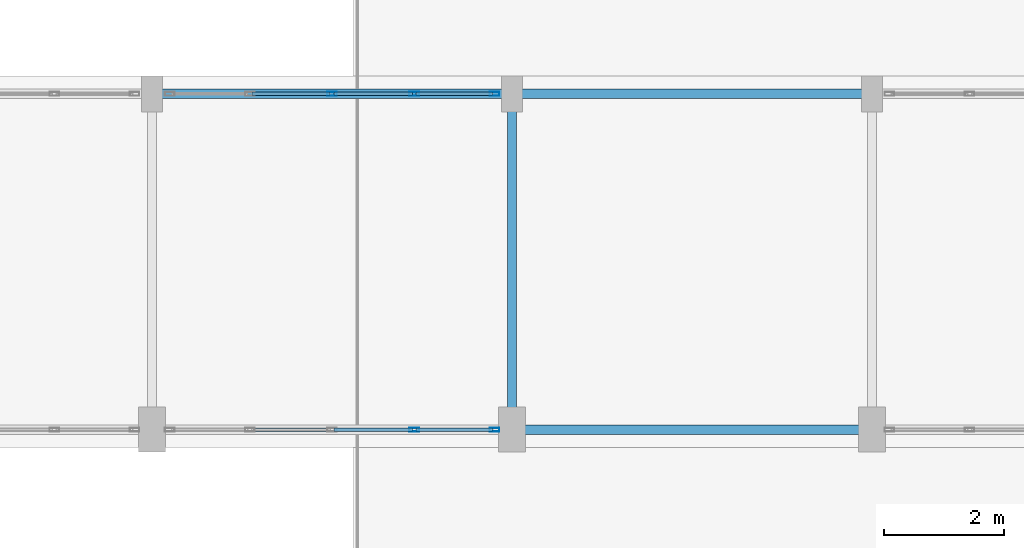
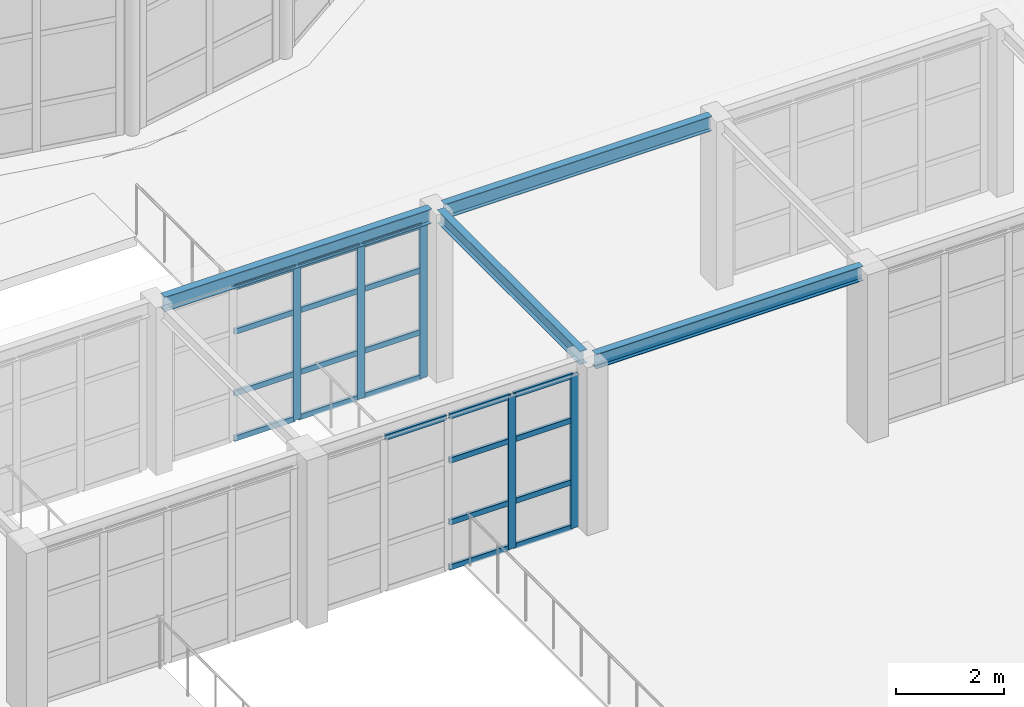
# One storey, part 12 of 57: 26 members, 4 beams, 2 elements without a shape of their own.
"""IFC4 building model written with IfcOpenShell, lengths in metres."""

from ifc_helpers import new_model, si_unit, direction, frame, origin, origin_2d, place, context, subcontext, project, spatial, hollow_rectangle, i_section, extrude, material, layer, layer_set, material_profile, profile_set, type_object, element, aggregate, save


model = new_model("IFC4")

# Units and contexts
model_context = context("Model", 3, precision=1e-05, world=origin(), true_north=direction((0.0, 1.0)))
body_context = subcontext(model_context, "Body", "Model", "MODEL_VIEW")
ifc_project = project(units=[si_unit("LENGTHUNIT", "METRE"), si_unit("AREAUNIT", "SQUARE_METRE"), si_unit("VOLUMEUNIT", "CUBIC_METRE"), si_unit("PLANEANGLEUNIT", "RADIAN"), si_unit("MASSUNIT", "GRAM", prefix="KILO")], contexts=[model_context])

# Site, building, storey
site_placement = place(None, origin())
site = spatial("IfcSite", under=ifc_project, at=site_placement, CompositionType="ELEMENT")
building_placement = place(site_placement, origin())
building = spatial("IfcBuilding", under=site, at=building_placement, Name="Kharisveld Research Institute", CompositionType="ELEMENT")
storey_placement = place(building_placement, origin())
storey = spatial("IfcBuildingStorey", under=building, at=storey_placement, Name="L00", CompositionType="ELEMENT", Elevation=0.0)

# Beams
ifc_material_1 = material(Name="Steel S355JR", Category="steel")
ifc_material_profile_1 = material_profile(ifc_material_1, i_section(OverallWidth=0.14990234375, OverallDepth=0.300048828125, WebThickness=0.007080078125, FlangeThickness=0.0107421875, at=origin_2d()))
ifc_profile_set_1 = profile_set([ifc_material_profile_1], Name="Steel S355JR")
beam_type_1 = type_object("IfcBeamType", Name="BM_ST_IPE300", PredefinedType="BEAM", material=ifc_profile_set_1)
beam_placement = place(storey_placement, frame((60.5, 26.14990234375, 3.64990234375), z_axis=(0.0, 1.0, 0.0), x_axis=(-1.0, 0.0, 0.0)))
element("IfcBeam", 1, at=beam_placement, inside=storey, type_object=beam_type_1, Name="BM:ARC:L00:TR_3", PredefinedType="BEAM", context=body_context, shape_type="SweptSolid", body=[
    extrude(i_section(OverallWidth=0.14990234375, OverallDepth=0.300048828125, WebThickness=0.007080078125, FlangeThickness=0.0107421875, at=origin_2d()), origin(), (0.0, 0.0, 1.0), 5.300048828125),
])
ifc_material_2 = material(Name="Steel S355JR", Category="steel")
ifc_material_profile_2 = material_profile(ifc_material_2, i_section(OverallWidth=0.159912109375, OverallDepth=0.330078125, WebThickness=0.007568359375, FlangeThickness=0.011474609375, at=origin_2d()))
ifc_profile_set_2 = profile_set([ifc_material_profile_2], Name="Steel S355JR")
beam_type_2 = type_object("IfcBeamType", Name="BM_ST_IPE330", PredefinedType="BEAM", material=ifc_profile_set_2)
for number, where, z_axis, x_axis, name in (
    (2, (60.639892578125, 26.0, 3.635009765625), (1.0, 0.0, 0.0), (0.0, 1.0, 0.0), "BM:ARC:L00:LN_1_3"),
    (3, (54.639892578125, 31.60009765625, 3.635009765625), (1.0, 0.0, 0.0), (0.0, 1.0, 0.0), "BM:ARC:L00:LN_2_2"),
    (4, (60.639892578125, 31.60009765625, 3.635009765625), (1.0, 0.0, 0.0), (0.0, 1.0, 0.0), "BM:ARC:L00:LN_2_3"),
):
    element("IfcBeam", number, at=place(storey_placement, frame(where, z_axis=z_axis, x_axis=x_axis)), inside=storey, type_object=beam_type_2, Name=name, PredefinedType="BEAM", context=body_context, shape_type="SweptSolid", body=[
        extrude(i_section(OverallWidth=0.159912109375, OverallDepth=0.330078125, WebThickness=0.007568359375, FlangeThickness=0.011474609375, at=origin_2d()), origin(), (0.0, 0.0, 1.0), 5.72021484375),
    ])

# Curtain wall, members
ifc_material_3 = material(Name="Thermally Broken Aluminium Curtain Wall", Category="aluminium")
ifc_layer = layer(ifc_material_3, 0.159912109375)
ifc_layer_set = layer_set([ifc_layer], Name="CW_SYS_02")
curtain_wall_type = type_object("IfcCurtainWallType", Name="CW_SYS_02", PredefinedType="NOTDEFINED", material=ifc_layer_set)
curtain_wall_1_placement = place(storey_placement, origin())
curtain_wall_1 = element("IfcCurtainWall", 5, at=curtain_wall_1_placement, inside=storey, type_object=curtain_wall_type, Name="CW:ARC:L00:S2", PredefinedType="NOTDEFINED")
ifc_material_4 = material(Name="Anodised Aluminium AW-6063-T6", Category="aluminium")
ifc_material_profile_3 = material_profile(ifc_material_4, hollow_rectangle(XDim=0.06494140625, YDim=0.159912109375, WallThickness=0.00390625, at=origin_2d()))
ifc_profile_set_3 = profile_set([ifc_material_profile_3], Name="Anodised Aluminium AW-6063-T6")
member_type_1 = type_object("IfcMemberType", Name="CW_MUL_160", PredefinedType="MULLION", material=ifc_profile_set_3)
member_1_placement = place(storey_placement, frame((60.20751953125, 26.0, 0.0), z_axis=(0.0, 0.0, 1.0), x_axis=(0.0, -1.0, 0.0)))
member_1 = element("IfcMember", 6, at=member_1_placement, type_object=member_type_1, Name="CW-02 mullion 1", PredefinedType="MULLION", context=body_context, shape_type="SweptSolid", body=[
    extrude(hollow_rectangle(XDim=0.06494140625, YDim=0.159912109375, WallThickness=0.00390625, at=origin_2d()), origin(), (0.0, 0.0, 1.0), 3.47998046875),
])
member_2_placement = place(storey_placement, frame((58.8701171875, 26.0, 0.0), z_axis=(0.0, 0.0, 1.0), x_axis=(0.0, -1.0, 0.0)))
member_2 = element("IfcMember", 7, at=member_2_placement, type_object=member_type_1, Name="CW-02 mullion 2", PredefinedType="MULLION", context=body_context, shape_type="SweptSolid", body=[
    extrude(hollow_rectangle(XDim=0.06494140625, YDim=0.159912109375, WallThickness=0.00390625, at=origin_2d()), origin(), (0.0, 0.0, 1.0), 3.47998046875),
])

curtain_wall_2_placement = place(storey_placement, origin())
curtain_wall_2 = element("IfcCurtainWall", 8, at=curtain_wall_2_placement, inside=storey, type_object=curtain_wall_type, Name="CW:ARC:L00:N2", PredefinedType="NOTDEFINED")
member_3_placement = place(storey_placement, frame((57.5, 31.60009765625, 0.0), z_axis=(0.0, 0.0, 1.0), x_axis=(0.0, 1.0, 0.0)))
member_3 = element("IfcMember", 9, at=member_3_placement, type_object=member_type_1, Name="CW-02 mullion 3", PredefinedType="MULLION", context=body_context, shape_type="SweptSolid", body=[
    extrude(hollow_rectangle(XDim=0.06494140625, YDim=0.159912109375, WallThickness=0.00390625, at=origin_2d()), origin(), (0.0, 0.0, 1.0), 3.47998046875),
])
member_4_placement = place(storey_placement, frame((58.8701171875, 31.60009765625, 0.0), z_axis=(0.0, 0.0, 1.0), x_axis=(0.0, 1.0, 0.0)))
member_4 = element("IfcMember", 10, at=member_4_placement, type_object=member_type_1, Name="CW-02 mullion 4", PredefinedType="MULLION", context=body_context, shape_type="SweptSolid", body=[
    extrude(hollow_rectangle(XDim=0.06494140625, YDim=0.159912109375, WallThickness=0.00390625, at=origin_2d()), origin(), (0.0, 0.0, 1.0), 3.47998046875),
])
member_5_placement = place(storey_placement, frame((60.20751953125, 31.60009765625, 0.0), z_axis=(0.0, 0.0, 1.0), x_axis=(0.0, 1.0, 0.0)))
member_5 = element("IfcMember", 11, at=member_5_placement, type_object=member_type_1, Name="CW-02 mullion 5", PredefinedType="MULLION", context=body_context, shape_type="SweptSolid", body=[
    extrude(hollow_rectangle(XDim=0.06494140625, YDim=0.159912109375, WallThickness=0.00390625, at=origin_2d()), origin(), (0.0, 0.0, 1.0), 3.47998046875),
])

# Member
ifc_material_5 = material(Name="Anodised Aluminium AW-6063-T6", Category="aluminium")
ifc_material_profile_4 = material_profile(ifc_material_5, hollow_rectangle(XDim=0.06005859375, YDim=0.1201171875, WallThickness=0.00390625, at=origin_2d()))
ifc_profile_set_4 = profile_set([ifc_material_profile_4], Name="Anodised Aluminium AW-6063-T6")
member_type_2 = type_object("IfcMemberType", Name="CW_TRN_120", PredefinedType="USERDEFINED", material=ifc_profile_set_4)
member_6_placement = place(storey_placement, frame((60.175048828125, 26.0, 0.030029296875), z_axis=(-1.0, 0.0, 0.0), x_axis=(0.0, -1.0, 0.0)))
member_6 = element("IfcMember", 12, at=member_6_placement, type_object=member_type_2, Name="CW-02 transom 1.1", ObjectType="TRANSOM", PredefinedType="USERDEFINED", context=body_context, shape_type="SweptSolid", body=[
    extrude(hollow_rectangle(XDim=0.06005859375, YDim=0.1201171875, WallThickness=0.00390625, at=origin_2d()), origin(), (0.0, 0.0, 1.0), 1.2724609375),
])

member_7_placement = place(storey_placement, frame((60.175048828125, 26.0, 1.050048828125), z_axis=(-1.0, 0.0, 0.0), x_axis=(0.0, -1.0, 0.0)))
member_7 = element("IfcMember", 13, at=member_7_placement, type_object=member_type_2, Name="CW-02 transom 1.2", ObjectType="TRANSOM", PredefinedType="USERDEFINED", context=body_context, shape_type="SweptSolid", body=[
    extrude(hollow_rectangle(XDim=0.06005859375, YDim=0.1201171875, WallThickness=0.00390625, at=origin_2d()), origin(), (0.0, 0.0, 1.0), 1.2724609375),
])

member_8_placement = place(storey_placement, frame((60.175048828125, 26.0, 2.449951171875), z_axis=(-1.0, 0.0, 0.0), x_axis=(0.0, -1.0, 0.0)))
member_8 = element("IfcMember", 14, at=member_8_placement, type_object=member_type_2, Name="CW-02 transom 1.3", ObjectType="TRANSOM", PredefinedType="USERDEFINED", context=body_context, shape_type="SweptSolid", body=[
    extrude(hollow_rectangle(XDim=0.06005859375, YDim=0.1201171875, WallThickness=0.00390625, at=origin_2d()), origin(), (0.0, 0.0, 1.0), 1.2724609375),
])

member_9_placement = place(storey_placement, frame((60.175048828125, 26.0, 3.449951171875), z_axis=(-1.0, 0.0, 0.0), x_axis=(0.0, -1.0, 0.0)))
member_9 = element("IfcMember", 15, at=member_9_placement, type_object=member_type_2, Name="CW-02 transom 1.4", ObjectType="TRANSOM", PredefinedType="USERDEFINED", context=body_context, shape_type="SweptSolid", body=[
    extrude(hollow_rectangle(XDim=0.06005859375, YDim=0.1201171875, WallThickness=0.00390625, at=origin_2d()), origin(), (0.0, 0.0, 1.0), 1.2724609375),
])

member_10_placement = place(storey_placement, frame((58.83740234375, 26.0, 0.030029296875), z_axis=(-1.0, 0.0, 0.0), x_axis=(0.0, -1.0, 0.0)))
member_10 = element("IfcMember", 16, at=member_10_placement, type_object=member_type_2, Name="CW-02 transom 2.1", ObjectType="TRANSOM", PredefinedType="USERDEFINED", context=body_context, shape_type="SweptSolid", body=[
    extrude(hollow_rectangle(XDim=0.06005859375, YDim=0.1201171875, WallThickness=0.00390625, at=origin_2d()), origin(), (0.0, 0.0, 1.0), 1.304931640625),
])

member_11_placement = place(storey_placement, frame((58.83740234375, 26.0, 1.050048828125), z_axis=(-1.0, 0.0, 0.0), x_axis=(0.0, -1.0, 0.0)))
member_11 = element("IfcMember", 17, at=member_11_placement, type_object=member_type_2, Name="CW-02 transom 2.2", ObjectType="TRANSOM", PredefinedType="USERDEFINED", context=body_context, shape_type="SweptSolid", body=[
    extrude(hollow_rectangle(XDim=0.06005859375, YDim=0.1201171875, WallThickness=0.00390625, at=origin_2d()), origin(), (0.0, 0.0, 1.0), 1.304931640625),
])

member_12_placement = place(storey_placement, frame((58.83740234375, 26.0, 2.449951171875), z_axis=(-1.0, 0.0, 0.0), x_axis=(0.0, -1.0, 0.0)))
member_12 = element("IfcMember", 18, at=member_12_placement, type_object=member_type_2, Name="CW-02 transom 2.3", ObjectType="TRANSOM", PredefinedType="USERDEFINED", context=body_context, shape_type="SweptSolid", body=[
    extrude(hollow_rectangle(XDim=0.06005859375, YDim=0.1201171875, WallThickness=0.00390625, at=origin_2d()), origin(), (0.0, 0.0, 1.0), 1.304931640625),
])

member_13_placement = place(storey_placement, frame((58.83740234375, 26.0, 3.449951171875), z_axis=(-1.0, 0.0, 0.0), x_axis=(0.0, -1.0, 0.0)))
member_13 = element("IfcMember", 19, at=member_13_placement, type_object=member_type_2, Name="CW-02 transom 2.4", ObjectType="TRANSOM", PredefinedType="USERDEFINED", context=body_context, shape_type="SweptSolid", body=[
    extrude(hollow_rectangle(XDim=0.06005859375, YDim=0.1201171875, WallThickness=0.00390625, at=origin_2d()), origin(), (0.0, 0.0, 1.0), 1.304931640625),
])

member_14_placement = place(storey_placement, frame((57.467529296875, 26.0, 3.449951171875), z_axis=(-1.0, 0.0, 0.0), x_axis=(0.0, -1.0, 0.0)))
member_14 = element("IfcMember", 20, at=member_14_placement, type_object=member_type_2, Name="CW-02 transom 3.4", ObjectType="TRANSOM", PredefinedType="USERDEFINED", context=body_context, shape_type="SweptSolid", body=[
    extrude(hollow_rectangle(XDim=0.06005859375, YDim=0.1201171875, WallThickness=0.00390625, at=origin_2d()), origin(), (0.0, 0.0, 1.0), 1.304931640625),
])

aggregate(curtain_wall_1, [member_1, member_2, member_6, member_7, member_8, member_9, member_10, member_11, member_12, member_13, member_14])

member_15_placement = place(storey_placement, frame((56.16259765625, 31.60009765625, 0.030029296875), z_axis=(1.0, 0.0, 0.0), x_axis=(0.0, 1.0, 0.0)))
member_15 = element("IfcMember", 21, at=member_15_placement, type_object=member_type_2, Name="CW-02 transom 2.1", ObjectType="TRANSOM", PredefinedType="USERDEFINED", context=body_context, shape_type="SweptSolid", body=[
    extrude(hollow_rectangle(XDim=0.06005859375, YDim=0.1201171875, WallThickness=0.00390625, at=origin_2d()), origin(), (0.0, 0.0, 1.0), 1.304931640625),
])

member_16_placement = place(storey_placement, frame((56.16259765625, 31.60009765625, 1.050048828125), z_axis=(1.0, 0.0, 0.0), x_axis=(0.0, 1.0, 0.0)))
member_16 = element("IfcMember", 22, at=member_16_placement, type_object=member_type_2, Name="CW-02 transom 2.2", ObjectType="TRANSOM", PredefinedType="USERDEFINED", context=body_context, shape_type="SweptSolid", body=[
    extrude(hollow_rectangle(XDim=0.06005859375, YDim=0.1201171875, WallThickness=0.00390625, at=origin_2d()), origin(), (0.0, 0.0, 1.0), 1.304931640625),
])

member_17_placement = place(storey_placement, frame((56.16259765625, 31.60009765625, 2.449951171875), z_axis=(1.0, 0.0, 0.0), x_axis=(0.0, 1.0, 0.0)))
member_17 = element("IfcMember", 23, at=member_17_placement, type_object=member_type_2, Name="CW-02 transom 2.3", ObjectType="TRANSOM", PredefinedType="USERDEFINED", context=body_context, shape_type="SweptSolid", body=[
    extrude(hollow_rectangle(XDim=0.06005859375, YDim=0.1201171875, WallThickness=0.00390625, at=origin_2d()), origin(), (0.0, 0.0, 1.0), 1.304931640625),
])

member_18_placement = place(storey_placement, frame((56.16259765625, 31.60009765625, 3.449951171875), z_axis=(1.0, 0.0, 0.0), x_axis=(0.0, 1.0, 0.0)))
member_18 = element("IfcMember", 24, at=member_18_placement, type_object=member_type_2, Name="CW-02 transom 2.4", ObjectType="TRANSOM", PredefinedType="USERDEFINED", context=body_context, shape_type="SweptSolid", body=[
    extrude(hollow_rectangle(XDim=0.06005859375, YDim=0.1201171875, WallThickness=0.00390625, at=origin_2d()), origin(), (0.0, 0.0, 1.0), 1.304931640625),
])

member_19_placement = place(storey_placement, frame((57.532470703125, 31.60009765625, 0.030029296875), z_axis=(1.0, 0.0, 0.0), x_axis=(0.0, 1.0, 0.0)))
member_19 = element("IfcMember", 25, at=member_19_placement, type_object=member_type_2, Name="CW-02 transom 3.1", ObjectType="TRANSOM", PredefinedType="USERDEFINED", context=body_context, shape_type="SweptSolid", body=[
    extrude(hollow_rectangle(XDim=0.06005859375, YDim=0.1201171875, WallThickness=0.00390625, at=origin_2d()), origin(), (0.0, 0.0, 1.0), 1.304931640625),
])

member_20_placement = place(storey_placement, frame((57.532470703125, 31.60009765625, 1.050048828125), z_axis=(1.0, 0.0, 0.0), x_axis=(0.0, 1.0, 0.0)))
member_20 = element("IfcMember", 26, at=member_20_placement, type_object=member_type_2, Name="CW-02 transom 3.2", ObjectType="TRANSOM", PredefinedType="USERDEFINED", context=body_context, shape_type="SweptSolid", body=[
    extrude(hollow_rectangle(XDim=0.06005859375, YDim=0.1201171875, WallThickness=0.00390625, at=origin_2d()), origin(), (0.0, 0.0, 1.0), 1.304931640625),
])

member_21_placement = place(storey_placement, frame((57.532470703125, 31.60009765625, 2.449951171875), z_axis=(1.0, 0.0, 0.0), x_axis=(0.0, 1.0, 0.0)))
member_21 = element("IfcMember", 27, at=member_21_placement, type_object=member_type_2, Name="CW-02 transom 3.3", ObjectType="TRANSOM", PredefinedType="USERDEFINED", context=body_context, shape_type="SweptSolid", body=[
    extrude(hollow_rectangle(XDim=0.06005859375, YDim=0.1201171875, WallThickness=0.00390625, at=origin_2d()), origin(), (0.0, 0.0, 1.0), 1.304931640625),
])

member_22_placement = place(storey_placement, frame((57.532470703125, 31.60009765625, 3.449951171875), z_axis=(1.0, 0.0, 0.0), x_axis=(0.0, 1.0, 0.0)))
member_22 = element("IfcMember", 28, at=member_22_placement, type_object=member_type_2, Name="CW-02 transom 3.4", ObjectType="TRANSOM", PredefinedType="USERDEFINED", context=body_context, shape_type="SweptSolid", body=[
    extrude(hollow_rectangle(XDim=0.06005859375, YDim=0.1201171875, WallThickness=0.00390625, at=origin_2d()), origin(), (0.0, 0.0, 1.0), 1.304931640625),
])

member_23_placement = place(storey_placement, frame((58.902587890625, 31.60009765625, 0.030029296875), z_axis=(1.0, 0.0, 0.0), x_axis=(0.0, 1.0, 0.0)))
member_23 = element("IfcMember", 29, at=member_23_placement, type_object=member_type_2, Name="CW-02 transom 4.1", ObjectType="TRANSOM", PredefinedType="USERDEFINED", context=body_context, shape_type="SweptSolid", body=[
    extrude(hollow_rectangle(XDim=0.06005859375, YDim=0.1201171875, WallThickness=0.00390625, at=origin_2d()), origin(), (0.0, 0.0, 1.0), 1.2724609375),
])

member_24_placement = place(storey_placement, frame((58.902587890625, 31.60009765625, 1.050048828125), z_axis=(1.0, 0.0, 0.0), x_axis=(0.0, 1.0, 0.0)))
member_24 = element("IfcMember", 30, at=member_24_placement, type_object=member_type_2, Name="CW-02 transom 4.2", ObjectType="TRANSOM", PredefinedType="USERDEFINED", context=body_context, shape_type="SweptSolid", body=[
    extrude(hollow_rectangle(XDim=0.06005859375, YDim=0.1201171875, WallThickness=0.00390625, at=origin_2d()), origin(), (0.0, 0.0, 1.0), 1.2724609375),
])

member_25_placement = place(storey_placement, frame((58.902587890625, 31.60009765625, 2.449951171875), z_axis=(1.0, 0.0, 0.0), x_axis=(0.0, 1.0, 0.0)))
member_25 = element("IfcMember", 31, at=member_25_placement, type_object=member_type_2, Name="CW-02 transom 4.3", ObjectType="TRANSOM", PredefinedType="USERDEFINED", context=body_context, shape_type="SweptSolid", body=[
    extrude(hollow_rectangle(XDim=0.06005859375, YDim=0.1201171875, WallThickness=0.00390625, at=origin_2d()), origin(), (0.0, 0.0, 1.0), 1.2724609375),
])

member_26_placement = place(storey_placement, frame((58.902587890625, 31.60009765625, 3.449951171875), z_axis=(1.0, 0.0, 0.0), x_axis=(0.0, 1.0, 0.0)))
member_26 = element("IfcMember", 32, at=member_26_placement, type_object=member_type_2, Name="CW-02 transom 4.4", ObjectType="TRANSOM", PredefinedType="USERDEFINED", context=body_context, shape_type="SweptSolid", body=[
    extrude(hollow_rectangle(XDim=0.06005859375, YDim=0.1201171875, WallThickness=0.00390625, at=origin_2d()), origin(), (0.0, 0.0, 1.0), 1.2724609375),
])

aggregate(curtain_wall_2, [member_3, member_4, member_5, member_15, member_16, member_17, member_18, member_19, member_20, member_21, member_22, member_23, member_24, member_25, member_26])

save(model, "model.ifc")
